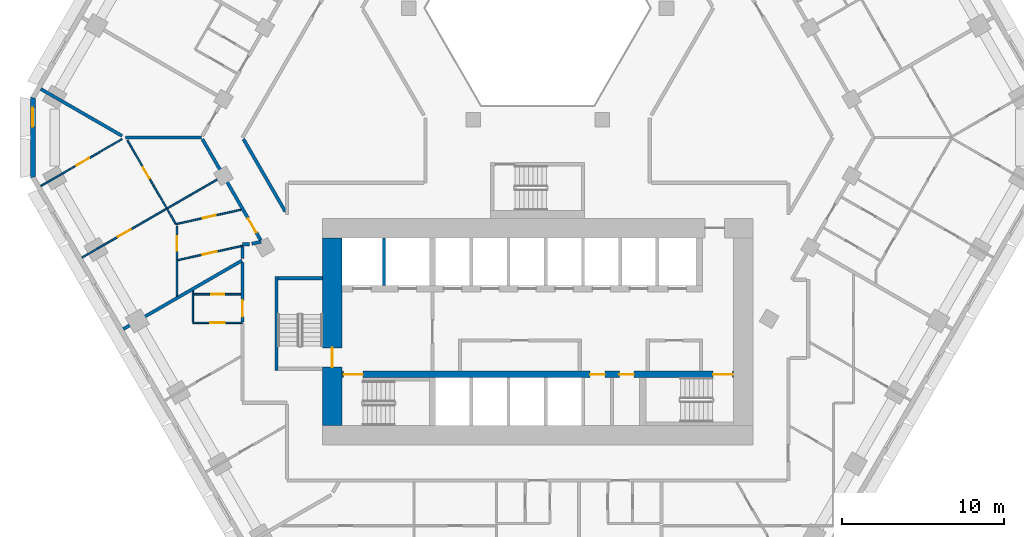
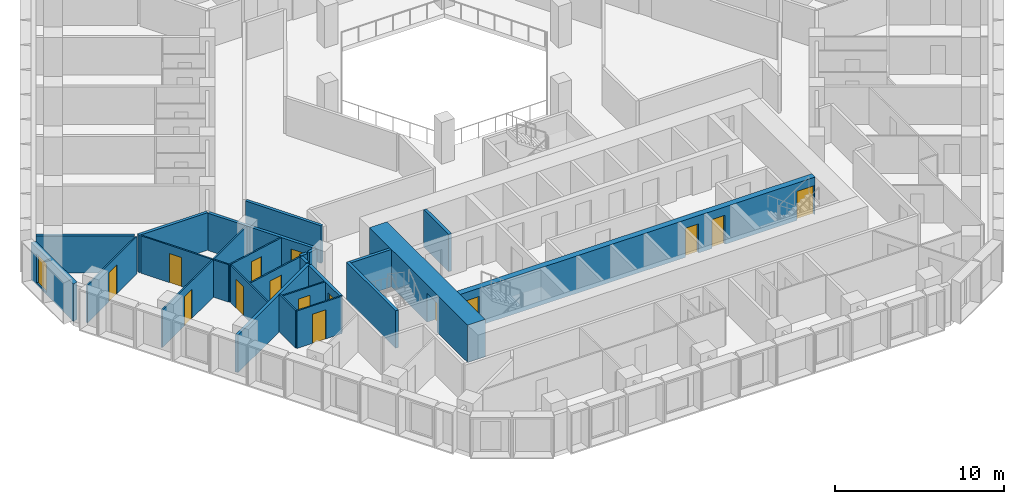
# One storey, part 4 of 16: 25 walls, 15 doors, 1 window, 16 openings.
"""IFC4 building model written with IfcOpenShell, lengths in metres."""

from ifc_helpers import new_model, si_unit, direction, frame, frame_2d, origin, place, context, subcontext, project, spatial, polyline, rectangle, outline, extrude, material, layer, layer_set, type_object, element, fill, save


model = new_model("IFC4")

# Units and contexts
model_context = context("Model", 3, precision=1e-05, world=origin(), true_north=direction((0.0, 1.0)))
body_context = subcontext(model_context, "Body", "Model", "MODEL_VIEW")
ifc_project = project(units=[si_unit("LENGTHUNIT", "METRE"), si_unit("AREAUNIT", "SQUARE_METRE"), si_unit("VOLUMEUNIT", "CUBIC_METRE"), si_unit("PLANEANGLEUNIT", "RADIAN"), si_unit("MASSUNIT", "GRAM", prefix="KILO")], contexts=[model_context])

# Site, building, storey
site_placement = place(None, origin())
site = spatial("IfcSite", under=ifc_project, at=site_placement, CompositionType="ELEMENT")
building_placement = place(site_placement, origin())
building = spatial("IfcBuilding", under=site, at=building_placement, Name="Beryl Residences", CompositionType="ELEMENT")
storey_placement = place(building_placement, frame((0.0, 0.0, 26.39990234375)))
storey = spatial("IfcBuildingStorey", under=building, at=storey_placement, Name="L07", CompositionType="ELEMENT", Elevation=26.39990234375)

# Wall, opening, window
ifc_material_1 = material(Name="Composite metal panel with mineral wool insulation")
ifc_layer_1 = layer(ifc_material_1, 0.300048828125)
ifc_layer_set_1 = layer_set([ifc_layer_1], Name="ES1 pale metal composite panel wall 300 mm")
wall_type_1 = type_object("IfcWallType", Name="ES1 pale metal composite panel wall 300 mm", PredefinedType="SOLIDWALL", material=ifc_layer_set_1)
wall_1_placement = place(storey_placement, frame((-31.199951171875, 2.5, 0.0), z_axis=(0.0, 0.0, 1.0), x_axis=(0.0, -1.0, 0.0)))
wall_1 = element("IfcWall", 1, at=wall_1_placement, inside=storey, type_object=wall_type_1, Name="ES1 external wall L07 NW-SW", PredefinedType="SOLIDWALL", context=body_context, shape_type="SweptSolid", body=[
    extrude(outline(polyline([(0.0, -0.14990234375), (5.0, -0.14990234375), (4.919677734375, 0.14990234375), (0.080322265625, 0.14990234375), (0.0, -0.14990234375)])), origin(), (0.0, 0.0, 1.0), 2.7001953125),
])
opening_1_placement = place(wall_1_placement, frame((0.64990234375, 0.0, 0.14990234375)))
opening_1 = element("IfcOpeningElement", 2, at=opening_1_placement, cuts=wall_1, Name="Opening W2", PredefinedType="OPENING", context=body_context, shape_type="SweptSolid", body=[
    extrude(rectangle(XDim=1.199951171875, YDim=2.10009765625, at=frame_2d((0.60009765625, 1.050048828125))), frame((0.0, 0.159912109375, 0.0), z_axis=(0.0, -1.0, 0.0), x_axis=(1.0, 0.0, 0.0)), (0.0, 0.0, 1.0), 0.320068359375),
])
ifc_material_2 = material(Name="Aluminium and clear glass", Category="aluminium")
window_type = type_object("IfcWindowType", Name="W2 chamfer window 1200 x 2100 mm", PartitioningType="SINGLE_PANEL", PredefinedType="WINDOW", material=ifc_material_2)
window_placement = place(opening_1_placement, origin())
window = element("IfcWindow", 3, at=window_placement, inside=storey, type_object=window_type, Name="W2 window L07 NW-SW 1", OverallHeight=2.10009765625, OverallWidth=1.199951171875, PartitioningType="SINGLE_PANEL", PredefinedType="WINDOW", context=body_context, shape_type="SweptSolid", body=[
    extrude(rectangle(XDim=1.199951171875, YDim=2.10009765625, at=frame_2d((0.60009765625, 1.050048828125))), frame((0.0, 0.030029296875, 0.0), z_axis=(0.0, -1.0, 0.0), x_axis=(1.0, 0.0, 0.0)), (0.0, 0.0, 1.0), 0.06005859375),
])
fill(opening_1, window)

# Wall, opening, door
ifc_material_3 = material(Name="Gypsum board partition on steel studs", Category="steel")
ifc_layer_2 = layer(ifc_material_3, 0.10009765625)
ifc_layer_set_2 = layer_set([ifc_layer_2], Name="PT1 partition 100 mm gypsum board on steel studs")
wall_type_2 = type_object("IfcWallType", Name="PT1 partition 100 mm gypsum board on steel studs", PredefinedType="PARTITIONING", material=ifc_layer_set_2)
wall_2_placement = place(storey_placement, frame((-25.35791015625, -0.174072265625, 0.0), z_axis=(0.0, 0.0, 1.0), x_axis=(0.500093956194, -0.865971151354, 0.0)))
wall_2 = element("IfcWall", 4, at=wall_2_placement, inside=storey, type_object=wall_type_2, Name="Wall PT1 L07 002", PredefinedType="PARTITIONING", context=body_context, shape_type="SweptSolid", body=[
    extrude(rectangle(XDim=4.873046875, YDim=0.10009765625, at=frame_2d((2.4365234375, 0.0))), origin(), (0.0, 0.0, 1.0), 2.7001953125),
])
opening_2_placement = place(wall_2_placement, frame((1.93701171875, 0.0, 0.0)))
opening_2 = element("IfcOpeningElement", 5, at=opening_2_placement, cuts=wall_2, Name="Opening D0418", PredefinedType="OPENING", context=body_context, shape_type="SweptSolid", body=[
    extrude(rectangle(XDim=0.800048828125, YDim=2.10009765625, at=frame_2d((0.39990234375, 1.050048828125))), frame((0.0, 0.06005859375, 0.0), z_axis=(0.0, -1.0, 0.0), x_axis=(1.0, 0.0, 0.0)), (0.0, 0.0, 1.0), 0.1201171875),
])
ifc_material_4 = material(Name="Timber door leaf", Category="wood")
door_type_1 = type_object("IfcDoorType", Name="D3 bathroom door 800 x 2100 mm", OperationType="SINGLE_SWING_LEFT", PredefinedType="DOOR", material=ifc_material_4)
door_1_placement = place(opening_2_placement, origin())
door_1 = element("IfcDoor", 6, at=door_1_placement, inside=storey, type_object=door_type_1, Name="Door D0418 L07 001", OperationType="SINGLE_SWING_RIGHT", OverallHeight=2.10009765625, OverallWidth=0.800048828125, PredefinedType="DOOR", context=body_context, shape_type="SweptSolid", body=[
    extrude(rectangle(XDim=0.800048828125, YDim=2.10009765625, at=frame_2d((0.39990234375, 1.050048828125))), frame((0.0, 0.02490234375, 0.0), z_axis=(0.0, -1.0, 0.0), x_axis=(1.0, 0.0, 0.0)), (0.0, 0.0, 1.0), 0.050048828125),
])
fill(opening_2, door_1)

# Wall
wall_3_placement = place(storey_placement, frame((-21.31005859375, -9.47412109375, 0.0), z_axis=(0.0, 0.0, 1.0), x_axis=(0.0, -1.0, 0.0)))
element("IfcWall", 7, at=wall_3_placement, inside=storey, type_object=wall_type_2, Name="Wall PT1 L07 010", PredefinedType="PARTITIONING", context=body_context, shape_type="SweptSolid", body=[
    extrude(rectangle(XDim=1.931884765625, YDim=0.10009765625, at=frame_2d((0.9658203125, 0.0))), origin(), (0.0, 0.0, 1.0), 2.7001953125),
])

# Wall, opening, door
wall_4_placement = place(storey_placement, frame((-21.260009765625, -9.68896484375, 0.0), z_axis=(0.0, 0.0, 1.0), x_axis=(1.0, 0.0, 0.0)))
wall_4 = element("IfcWall", 8, at=wall_4_placement, inside=storey, type_object=wall_type_2, Name="Wall PT1 L07 027", PredefinedType="PARTITIONING", context=body_context, shape_type="SweptSolid", body=[
    extrude(rectangle(XDim=2.909912109375, YDim=0.10009765625, at=frame_2d((1.455078125, 0.0))), origin(), (0.0, 0.0, 1.0), 2.7001953125),
])
opening_3_placement = place(wall_4_placement, frame((1.080078125, 0.0, 0.0)))
opening_3 = element("IfcOpeningElement", 9, at=opening_3_placement, cuts=wall_4, Name="Opening D0421", PredefinedType="OPENING", context=body_context, shape_type="SweptSolid", body=[
    extrude(rectangle(XDim=0.800048828125, YDim=2.10009765625, at=frame_2d((0.39990234375, 1.050048828125))), frame((0.0, 0.06005859375, 0.0), z_axis=(0.0, -1.0, 0.0), x_axis=(1.0, 0.0, 0.0)), (0.0, 0.0, 1.0), 0.1201171875),
])
door_2_placement = place(opening_3_placement, origin())
door_2 = element("IfcDoor", 10, at=door_2_placement, inside=storey, type_object=door_type_1, Name="Door D0421 L07 001", OperationType="SINGLE_SWING_LEFT", OverallHeight=2.10009765625, OverallWidth=0.800048828125, PredefinedType="DOOR", context=body_context, shape_type="SweptSolid", body=[
    extrude(rectangle(XDim=0.800048828125, YDim=2.10009765625, at=frame_2d((0.39990234375, 1.050048828125))), frame((0.0, 0.02490234375, 0.0), z_axis=(0.0, -1.0, 0.0), x_axis=(1.0, 0.0, 0.0)), (0.0, 0.0, 1.0), 0.050048828125),
])
fill(opening_3, door_2)

wall_5_placement = place(storey_placement, frame((-21.30908203125, -11.45703125, 0.0), z_axis=(0.0, 0.0, 1.0), x_axis=(1.0, 0.0, 0.0)))
wall_5 = element("IfcWall", 11, at=wall_5_placement, inside=storey, type_object=wall_type_2, Name="Wall PT1 L07 028", PredefinedType="PARTITIONING", context=body_context, shape_type="SweptSolid", body=[
    extrude(rectangle(XDim=3.05908203125, YDim=0.10009765625, at=frame_2d((1.529541015625, 0.0))), origin(), (0.0, 0.0, 1.0), 2.7001953125),
])
opening_4_placement = place(wall_5_placement, frame((1.0791015625, 0.0, 0.0)))
opening_4 = element("IfcOpeningElement", 12, at=opening_4_placement, cuts=wall_5, Name="Opening D0420", PredefinedType="OPENING", context=body_context, shape_type="SweptSolid", body=[
    extrude(rectangle(XDim=0.89990234375, YDim=2.10009765625, at=frame_2d((0.449951171875, 1.050048828125))), frame((0.0, 0.06005859375, 0.0), z_axis=(0.0, -1.0, 0.0), x_axis=(1.0, 0.0, 0.0)), (0.0, 0.0, 1.0), 0.1201171875),
])
ifc_material_5 = material(Name="Timber door leaf", Category="wood")
door_type_2 = type_object("IfcDoorType", Name="D2 room door 900 x 2100 mm", OperationType="SINGLE_SWING_LEFT", PredefinedType="DOOR", material=ifc_material_5)
door_3_placement = place(opening_4_placement, origin())
door_3 = element("IfcDoor", 13, at=door_3_placement, inside=storey, type_object=door_type_2, Name="Door D0420 L07 001", OperationType="SINGLE_SWING_RIGHT", OverallHeight=2.10009765625, OverallWidth=0.89990234375, PredefinedType="DOOR", context=body_context, shape_type="SweptSolid", body=[
    extrude(rectangle(XDim=0.89990234375, YDim=2.10009765625, at=frame_2d((0.449951171875, 1.050048828125))), frame((0.0, 0.02490234375, 0.0), z_axis=(0.0, -1.0, 0.0), x_axis=(1.0, 0.0, 0.0)), (0.0, 0.0, 1.0), 0.050048828125),
])
fill(opening_4, door_3)

wall_6_placement = place(storey_placement, frame((-22.297119140625, -9.81298828125, 0.0), z_axis=(0.0, 0.0, 1.0), x_axis=(0.0, 1.0, 0.0)))
wall_6 = element("IfcWall", 14, at=wall_6_placement, inside=storey, type_object=wall_type_2, Name="Wall PT1 L07 058", PredefinedType="PARTITIONING", context=body_context, shape_type="SweptSolid", body=[
    extrude(rectangle(XDim=4.337890625, YDim=0.10009765625, at=frame_2d((2.1689453125, 0.0))), origin(), (0.0, 0.0, 1.0), 2.7001953125),
])
opening_5_placement = place(wall_6_placement, frame((2.818115234375, 0.0, 0.0)))
opening_5 = element("IfcOpeningElement", 15, at=opening_5_placement, cuts=wall_6, Name="Opening D0415", PredefinedType="OPENING", context=body_context, shape_type="SweptSolid", body=[
    extrude(rectangle(XDim=0.89990234375, YDim=2.10009765625, at=frame_2d((0.449951171875, 1.050048828125))), frame((0.0, 0.06005859375, 0.0), z_axis=(0.0, -1.0, 0.0), x_axis=(1.0, 0.0, 0.0)), (0.0, 0.0, 1.0), 0.1201171875),
])
door_4_placement = place(opening_5_placement, origin())
door_4 = element("IfcDoor", 16, at=door_4_placement, inside=storey, type_object=door_type_2, Name="Door D0415 L07 001", OperationType="SINGLE_SWING_LEFT", OverallHeight=2.10009765625, OverallWidth=0.89990234375, PredefinedType="DOOR", context=body_context, shape_type="SweptSolid", body=[
    extrude(rectangle(XDim=0.89990234375, YDim=2.10009765625, at=frame_2d((0.449951171875, 1.050048828125))), frame((0.0, 0.02490234375, 0.0), z_axis=(0.0, -1.0, 0.0), x_axis=(1.0, 0.0, 0.0)), (0.0, 0.0, 1.0), 0.050048828125),
])
fill(opening_5, door_4)

wall_7_placement = place(storey_placement, frame((-22.364990234375, -5.35693359375, 0.0), z_axis=(0.0, 0.0, 1.0), x_axis=(0.976339488582, 0.216243388421, 0.0)))
wall_7 = element("IfcWall", 17, at=wall_7_placement, inside=storey, type_object=wall_type_2, Name="Wall PT1 L07 060", PredefinedType="PARTITIONING", context=body_context, shape_type="SweptSolid", body=[
    extrude(rectangle(XDim=4.138916015625, YDim=0.10009765625, at=frame_2d((2.0693359375, 0.0))), origin(), (0.0, 0.0, 1.0), 2.7001953125),
])
opening_6_placement = place(wall_7_placement, frame((1.721923828125, 0.0, 0.0)))
opening_6 = element("IfcOpeningElement", 18, at=opening_6_placement, cuts=wall_7, Name="Opening D0413", PredefinedType="OPENING", context=body_context, shape_type="SweptSolid", body=[
    extrude(rectangle(XDim=0.800048828125, YDim=2.10009765625, at=frame_2d((0.39990234375, 1.050048828125))), frame((0.0, 0.06005859375, 0.0), z_axis=(0.0, -1.0, 0.0), x_axis=(1.0, 0.0, 0.0)), (0.0, 0.0, 1.0), 0.1201171875),
])
door_5_placement = place(opening_6_placement, origin())
door_5 = element("IfcDoor", 19, at=door_5_placement, inside=storey, type_object=door_type_1, Name="Door D0413 L07 001", OperationType="SINGLE_SWING_LEFT", OverallHeight=2.10009765625, OverallWidth=0.800048828125, PredefinedType="DOOR", context=body_context, shape_type="SweptSolid", body=[
    extrude(rectangle(XDim=0.800048828125, YDim=2.10009765625, at=frame_2d((0.39990234375, 1.050048828125))), frame((0.0, 0.02490234375, 0.0), z_axis=(0.0, -1.0, 0.0), x_axis=(1.0, 0.0, 0.0)), (0.0, 0.0, 1.0), 0.050048828125),
])
fill(opening_6, door_5)

wall_8_placement = place(storey_placement, frame((-22.2470703125, -7.583984375, 0.0), z_axis=(0.0, 0.0, 1.0), x_axis=(0.97635375062, 0.216178985219, 0.0)))
wall_8 = element("IfcWall", 20, at=wall_8_placement, inside=storey, type_object=wall_type_2, Name="Wall PT1 L07 061", PredefinedType="PARTITIONING", context=body_context, shape_type="SweptSolid", body=[
    extrude(rectangle(XDim=4.093994140625, YDim=0.10009765625, at=frame_2d((2.046875, 0.0))), origin(), (0.0, 0.0, 1.0), 2.7001953125),
])
opening_7_placement = place(wall_8_placement, frame((1.571044921875, 0.0, 0.0)))
opening_7 = element("IfcOpeningElement", 21, at=opening_7_placement, cuts=wall_8, Name="Opening D0414", PredefinedType="OPENING", context=body_context, shape_type="SweptSolid", body=[
    extrude(rectangle(XDim=0.89990234375, YDim=2.10009765625, at=frame_2d((0.449951171875, 1.050048828125))), frame((0.0, 0.06005859375, 0.0), z_axis=(0.0, -1.0, 0.0), x_axis=(1.0, 0.0, 0.0)), (0.0, 0.0, 1.0), 0.1201171875),
])
door_6_placement = place(opening_7_placement, origin())
door_6 = element("IfcDoor", 22, at=door_6_placement, inside=storey, type_object=door_type_2, Name="Door D0414 L07 001", OperationType="SINGLE_SWING_RIGHT", OverallHeight=2.10009765625, OverallWidth=0.89990234375, PredefinedType="DOOR", context=body_context, shape_type="SweptSolid", body=[
    extrude(rectangle(XDim=0.89990234375, YDim=2.10009765625, at=frame_2d((0.449951171875, 1.050048828125))), frame((0.0, 0.02490234375, 0.0), z_axis=(0.0, -1.0, 0.0), x_axis=(1.0, 0.0, 0.0)), (0.0, 0.0, 1.0), 0.050048828125),
])
fill(opening_7, door_6)

wall_9_placement = place(storey_placement, frame((-28.1630859375, -7.419921875, 0.0), z_axis=(0.0, 0.0, 1.0), x_axis=(0.866065245018, 0.499930986609, 0.0)))
wall_9 = element("IfcWall", 23, at=wall_9_placement, inside=storey, type_object=wall_type_2, Name="Wall PT1 L07 066", PredefinedType="PARTITIONING", context=body_context, shape_type="SweptSolid", body=[
    extrude(rectangle(XDim=9.99951171875, YDim=0.10009765625, at=frame_2d((4.999755859375, 0.0))), origin(), (0.0, 0.0, 1.0), 2.7001953125),
])
opening_8_placement = place(wall_9_placement, frame((2.575927734375, 0.0, 0.0)))
opening_8 = element("IfcOpeningElement", 24, at=opening_8_placement, cuts=wall_9, Name="Opening D0416", PredefinedType="OPENING", context=body_context, shape_type="SweptSolid", body=[
    extrude(rectangle(XDim=0.89990234375, YDim=2.10009765625, at=frame_2d((0.449951171875, 1.050048828125))), frame((0.0, 0.06005859375, 0.0), z_axis=(0.0, -1.0, 0.0), x_axis=(1.0, 0.0, 0.0)), (0.0, 0.0, 1.0), 0.1201171875),
])
door_7_placement = place(opening_8_placement, origin())
door_7 = element("IfcDoor", 25, at=door_7_placement, inside=storey, type_object=door_type_2, Name="Door D0416 L07 001", OperationType="SINGLE_SWING_RIGHT", OverallHeight=2.10009765625, OverallWidth=0.89990234375, PredefinedType="DOOR", context=body_context, shape_type="SweptSolid", body=[
    extrude(rectangle(XDim=0.89990234375, YDim=2.10009765625, at=frame_2d((0.449951171875, 1.050048828125))), frame((0.0, 0.02490234375, 0.0), z_axis=(0.0, -1.0, 0.0), x_axis=(1.0, 0.0, 0.0)), (0.0, 0.0, 1.0), 0.050048828125),
])
fill(opening_8, door_7)

wall_10_placement = place(storey_placement, frame((-30.715087890625, -3.0, 0.0), z_axis=(0.0, 0.0, 1.0), x_axis=(0.866116197112, 0.49984270836, 0.0)))
wall_10 = element("IfcWall", 26, at=wall_10_placement, inside=storey, type_object=wall_type_2, Name="Wall PT1 L07 067", PredefinedType="PARTITIONING", context=body_context, shape_type="SweptSolid", body=[
    extrude(rectangle(XDim=5.799560546875, YDim=0.10009765625, at=frame_2d((2.89990234375, 0.0))), origin(), (0.0, 0.0, 1.0), 2.7001953125),
])
opening_9_placement = place(wall_10_placement, frame((2.550048828125, 0.0, 0.0)))
opening_9 = element("IfcOpeningElement", 27, at=opening_9_placement, cuts=wall_10, Name="Opening D0417", PredefinedType="OPENING", context=body_context, shape_type="SweptSolid", body=[
    extrude(rectangle(XDim=0.89990234375, YDim=2.10009765625, at=frame_2d((0.449951171875, 1.050048828125))), frame((0.0, 0.06005859375, 0.0), z_axis=(0.0, -1.0, 0.0), x_axis=(1.0, 0.0, 0.0)), (0.0, 0.0, 1.0), 0.1201171875),
])
door_8_placement = place(opening_9_placement, origin())
door_8 = element("IfcDoor", 28, at=door_8_placement, inside=storey, type_object=door_type_2, Name="Door D0417 L07 001", OperationType="SINGLE_SWING_LEFT", OverallHeight=2.10009765625, OverallWidth=0.89990234375, PredefinedType="DOOR", context=body_context, shape_type="SweptSolid", body=[
    extrude(rectangle(XDim=0.89990234375, YDim=2.10009765625, at=frame_2d((0.449951171875, 1.050048828125))), frame((0.0, 0.02490234375, 0.0), z_axis=(0.0, -1.0, 0.0), x_axis=(1.0, 0.0, 0.0)), (0.0, 0.0, 1.0), 0.050048828125),
])
fill(opening_9, door_8)

# Walls
wall_11_placement = place(storey_placement, frame((-22.9208984375, -4.39404296875, 0.0), z_axis=(0.0, 0.0, 1.0), x_axis=(0.499565963512, -0.866275849889, 0.0)))
element("IfcWall", 29, at=wall_11_placement, inside=storey, type_object=wall_type_2, Name="Wall PT1 L07 071", PredefinedType="PARTITIONING", context=body_context, shape_type="SweptSolid", body=[
    extrude(rectangle(XDim=1.08056640625, YDim=0.10009765625, at=frame_2d((0.540283203125, 0.0))), origin(), (0.0, 0.0, 1.0), 2.7001953125),
])
ifc_material_6 = material(Name="Acoustic double stud gypsum board wall")
ifc_layer_3 = layer(ifc_material_6, 0.199951171875)
ifc_layer_set_3 = layer_set([ifc_layer_3], Name="PT3 party wall 200 mm acoustic double stud")
wall_type_3 = type_object("IfcWallType", Name="PT3 party wall 200 mm acoustic double stud", PredefinedType="PARTITIONING", material=ifc_layer_set_3)
wall_12_placement = place(storey_placement, frame((-30.716064453125, 2.9990234375, 0.0), z_axis=(0.0, 0.0, 1.0), x_axis=(0.866032775405, -0.499987231761, 0.0)))
element("IfcWall", 30, at=wall_12_placement, inside=storey, type_object=wall_type_3, Name="Wall PT3 L07 006", PredefinedType="PARTITIONING", context=body_context, shape_type="SweptSolid", body=[
    extrude(rectangle(XDim=5.800048828125, YDim=0.199951171875, at=frame_2d((2.89990234375, 0.0))), origin(), (0.0, 0.0, 1.0), 2.7001953125),
])
wall_13_placement = place(storey_placement, frame((-25.47802734375, -0.0009765625, 0.0), z_axis=(0.0, 0.0, 1.0), x_axis=(1.0, 0.0, 0.0)))
element("IfcWall", 31, at=wall_13_placement, inside=storey, type_object=wall_type_3, Name="Wall PT3 L07 012", PredefinedType="PARTITIONING", context=body_context, shape_type="SweptSolid", body=[
    extrude(rectangle(XDim=4.694091796875, YDim=0.199951171875, at=frame_2d((2.34716796875, 0.0))), origin(), (0.0, 0.0, 1.0), 2.7001953125),
])
wall_14_placement = place(storey_placement, frame((-17.6689453125, -6.570068359375, 0.0), z_axis=(0.0, 0.0, 1.0), x_axis=(0.976422724526, 0.215867234728, 0.0)))
element("IfcWall", 32, at=wall_14_placement, inside=storey, type_object=wall_type_3, Name="Wall PT3 L07 020", PredefinedType="PARTITIONING", context=body_context, shape_type="SweptSolid", body=[
    extrude(rectangle(XDim=0.58349609375, YDim=0.199951171875, at=frame_2d((0.291748046875, 0.0))), origin(), (0.0, 0.0, 1.0), 2.7001953125),
])
wall_15_placement = place(storey_placement, frame((-25.610107421875, -11.841064453125, 0.0), z_axis=(0.0, 0.0, 1.0), x_axis=(0.866019023803, 0.500011050288, 0.0)))
element("IfcWall", 33, at=wall_15_placement, inside=storey, type_object=wall_type_3, Name="Wall PT3 L07 024", PredefinedType="PARTITIONING", context=body_context, shape_type="SweptSolid", body=[
    extrude(rectangle(XDim=8.469970703125, YDim=0.199951171875, at=frame_2d((4.23486328125, 0.0))), origin(), (0.0, 0.0, 1.0), 2.7001953125),
])
ifc_material_7 = material(Name="Double stud gypsum board wall")
ifc_layer_4 = layer(ifc_material_7, 0.199951171875)
ifc_layer_set_4 = layer_set([ifc_layer_4], Name="PT4 corridor wall 200 mm double stud")
wall_type_4 = type_object("IfcWallType", Name="PT4 corridor wall 200 mm double stud", PredefinedType="PARTITIONING", material=ifc_layer_set_4)
wall_16_placement = place(storey_placement, frame((-18.18603515625, -0.10107421875, 0.0), z_axis=(0.0, 0.0, 1.0), x_axis=(0.499997591167, -0.86602679452, 0.0)))
element("IfcWall", 34, at=wall_16_placement, inside=storey, type_object=wall_type_4, Name="Wall PT4 L07 002", PredefinedType="PARTITIONING", context=body_context, shape_type="SweptSolid", body=[
    extrude(rectangle(XDim=5.171875, YDim=0.199951171875, at=frame_2d((2.5859375, 0.0))), origin(), (0.0, 0.0, 1.0), 2.7001953125),
])

# Wall, opening, door
wall_17_placement = place(storey_placement, frame((-20.72705078125, -0.10107421875, 0.0), z_axis=(0.0, 0.0, 1.0), x_axis=(0.500049702773, -0.865996705973, 0.0)))
wall_17 = element("IfcWall", 35, at=wall_17_placement, inside=storey, type_object=wall_type_4, Name="Wall PT4 L07 003", PredefinedType="PARTITIONING", context=body_context, shape_type="SweptSolid", body=[
    extrude(rectangle(XDim=7.211181640625, YDim=0.199951171875, at=frame_2d((3.60546875, 0.0))), origin(), (0.0, 0.0, 1.0), 2.7001953125),
])
opening_10_placement = place(wall_17_placement, frame((5.654052734375, 0.0, 0.0)))
opening_10 = element("IfcOpeningElement", 36, at=opening_10_placement, cuts=wall_17, Name="Opening D0412", PredefinedType="OPENING", context=body_context, shape_type="SweptSolid", body=[
    extrude(rectangle(XDim=1.0, YDim=2.10009765625, at=frame_2d((0.5, 1.050048828125))), frame((0.0, 0.10986328125, 0.0), z_axis=(0.0, -1.0, 0.0), x_axis=(1.0, 0.0, 0.0)), (0.0, 0.0, 1.0), 0.219970703125),
])
ifc_material_8 = material(Name="Timber door leaf", Category="wood")
door_type_3 = type_object("IfcDoorType", Name="D1 flat entrance door 1000 x 2100 mm", OperationType="SINGLE_SWING_LEFT", PredefinedType="DOOR", material=ifc_material_8)
door_9_placement = place(opening_10_placement, origin())
door_9 = element("IfcDoor", 37, at=door_9_placement, inside=storey, type_object=door_type_3, Name="Door D0412 L07 001", OperationType="SINGLE_SWING_RIGHT", OverallHeight=2.10009765625, OverallWidth=1.0, PredefinedType="DOOR", context=body_context, shape_type="SweptSolid", body=[
    extrude(rectangle(XDim=1.0, YDim=2.10009765625, at=frame_2d((0.5, 1.050048828125))), frame((0.0, 0.02490234375, 0.0), z_axis=(0.0, -1.0, 0.0), x_axis=(1.0, 0.0, 0.0)), (0.0, 0.0, 1.0), 0.050048828125),
])
fill(opening_10, door_9)

# Wall
wall_18_placement = place(storey_placement, frame((-18.25, -6.60009765625, 0.0), z_axis=(0.0, 0.0, 1.0), x_axis=(1.0, 0.0, 0.0)))
element("IfcWall", 38, at=wall_18_placement, inside=storey, type_object=wall_type_4, Name="Wall PT4 L07 009", PredefinedType="PARTITIONING", context=body_context, shape_type="SweptSolid", body=[
    extrude(rectangle(XDim=0.445068359375, YDim=0.199951171875, at=frame_2d((0.22265625, 0.0))), origin(), (0.0, 0.0, 1.0), 2.7001953125),
])

# Wall, opening, door
wall_19_placement = place(storey_placement, frame((-18.25, -11.406982421875, 0.0), z_axis=(0.0, 0.0, 1.0), x_axis=(0.0, 1.0, 0.0)))
wall_19 = element("IfcWall", 39, at=wall_19_placement, inside=storey, type_object=wall_type_4, Name="Wall PT4 L07 031", PredefinedType="PARTITIONING", context=body_context, shape_type="SweptSolid", body=[
    extrude(rectangle(XDim=3.6650390625, YDim=0.199951171875, at=frame_2d((1.83251953125, 0.0))), origin(), (0.0, 0.0, 1.0), 2.7001953125),
])
opening_11_placement = place(wall_19_placement, frame((0.333984375, 0.0, 0.0)))
opening_11 = element("IfcOpeningElement", 40, at=opening_11_placement, cuts=wall_19, Name="Opening D0419", PredefinedType="OPENING", context=body_context, shape_type="SweptSolid", body=[
    extrude(rectangle(XDim=1.0, YDim=2.10009765625, at=frame_2d((0.5, 1.050048828125))), frame((0.0, 0.10986328125, 0.0), z_axis=(0.0, -1.0, 0.0), x_axis=(1.0, 0.0, 0.0)), (0.0, 0.0, 1.0), 0.219970703125),
])
door_10_placement = place(opening_11_placement, origin())
door_10 = element("IfcDoor", 41, at=door_10_placement, inside=storey, type_object=door_type_3, Name="Door D0419 L07 001", OperationType="SINGLE_SWING_LEFT", OverallHeight=2.10009765625, OverallWidth=1.0, PredefinedType="DOOR", context=body_context, shape_type="SweptSolid", body=[
    extrude(rectangle(XDim=1.0, YDim=2.10009765625, at=frame_2d((0.5, 1.050048828125))), frame((0.0, 0.02490234375, 0.0), z_axis=(0.0, -1.0, 0.0), x_axis=(1.0, 0.0, 0.0)), (0.0, 0.0, 1.0), 0.050048828125),
])
fill(opening_11, door_10)

# Walls
wall_20_placement = place(storey_placement, frame((-18.25, -7.47607421875, 0.0), z_axis=(0.0, 0.0, 1.0), x_axis=(0.0, 1.0, 0.0)))
element("IfcWall", 42, at=wall_20_placement, inside=storey, type_object=wall_type_4, Name="Wall PT4 L07 032", PredefinedType="PARTITIONING", context=body_context, shape_type="SweptSolid", body=[
    extrude(rectangle(XDim=0.72607421875, YDim=0.199951171875, at=frame_2d((0.363037109375, 0.0))), origin(), (0.0, 0.0, 1.0), 2.7001953125),
])
ifc_material_9 = material(Name="Concrete C40/50", Category="concrete")
ifc_layer_5 = layer(ifc_material_9, 0.199951171875)
ifc_layer_set_5 = layer_set([ifc_layer_5], Name="PT5 stair enclosure wall 200 mm reinforced concrete C40/50")
wall_type_5 = type_object("IfcWallType", Name="PT5 stair enclosure wall 200 mm reinforced concrete C40/50", PredefinedType="SOLIDWALL", material=ifc_layer_set_5)
wall_21_placement = place(storey_placement, frame((-16.14990234375, -14.39990234375, 0.0), z_axis=(0.0, 0.0, 1.0), x_axis=(0.0, 1.0, 0.0)))
element("IfcWall", 43, at=wall_21_placement, inside=storey, type_object=wall_type_5, Name="Stair wall 01", PredefinedType="SOLIDWALL", context=body_context, shape_type="SweptSolid", body=[
    extrude(rectangle(XDim=5.7998046875, YDim=0.199951171875, at=frame_2d((2.89990234375, 0.0))), origin(), (0.0, 0.0, 1.0), 2.7001953125),
])
wall_22_placement = place(storey_placement, frame((-16.050048828125, -8.699951171875, 0.0), z_axis=(0.0, 0.0, 1.0), x_axis=(1.0, 0.0, 0.0)))
element("IfcWall", 44, at=wall_22_placement, inside=storey, type_object=wall_type_5, Name="Stair wall 03", PredefinedType="SOLIDWALL", context=body_context, shape_type="SweptSolid", body=[
    extrude(rectangle(XDim=2.75, YDim=0.199951171875, at=frame_2d((1.375, 0.0))), origin(), (0.0, 0.0, 1.0), 2.7001953125),
])
ifc_material_10 = material(Name="Concrete C40/50", Category="concrete")
ifc_layer_6 = layer(ifc_material_10, 0.199951171875)
ifc_layer_set_6 = layer_set([ifc_layer_6], Name="PT6 lift shaft wall 200 mm reinforced concrete C40/50")
wall_type_6 = type_object("IfcWallType", Name="PT6 lift shaft wall 200 mm reinforced concrete C40/50", PredefinedType="SOLIDWALL", material=ifc_layer_set_6)
wall_23_placement = place(storey_placement, frame((-9.5, -9.14990234375, 0.0), z_axis=(0.0, 0.0, 1.0), x_axis=(0.0, 1.0, 0.0)))
element("IfcWall", 45, at=wall_23_placement, inside=storey, type_object=wall_type_6, Name="Lift shaft wall 05", PredefinedType="SOLIDWALL", context=body_context, shape_type="SweptSolid", body=[
    extrude(rectangle(XDim=2.949951171875, YDim=0.199951171875, at=frame_2d((1.47509765625, 0.0))), origin(), (0.0, 0.0, 1.0), 2.7001953125),
])

# Wall, opening, door
ifc_material_11 = material(Name="Concrete C80/95", Category="concrete")
ifc_layer_7 = layer(ifc_material_11, 1.199951171875)
ifc_layer_set_7 = layer_set([ifc_layer_7], Name="SW1 core outer wall 1200 mm C80/95")
wall_type_7 = type_object("IfcWallType", Name="SW1 core outer wall 1200 mm C80/95", PredefinedType="SHEAR", material=ifc_layer_set_7)
wall_24_placement = place(storey_placement, frame((-12.699951171875, -17.800048828125, 0.0), z_axis=(0.0, 0.0, 1.0), x_axis=(0.0, 1.0, 0.0)))
wall_24 = element("IfcWall", 46, at=wall_24_placement, inside=storey, type_object=wall_type_7, Name="Core wall W L07", PredefinedType="SHEAR", context=body_context, shape_type="SweptSolid", body=[
    extrude(rectangle(XDim=11.60009765625, YDim=1.199951171875, at=frame_2d((5.800048828125, 0.0))), origin(), (0.0, 0.0, 1.0), 2.7001953125),
])
opening_12_placement = place(wall_24_placement, frame((3.60009765625, 0.0, 0.0)))
opening_12 = element("IfcOpeningElement", 47, at=opening_12_placement, cuts=wall_24, Name="Opening SD-2", PredefinedType="OPENING", context=body_context, shape_type="SweptSolid", body=[
    extrude(rectangle(XDim=1.199951171875, YDim=2.10009765625, at=frame_2d((0.60009765625, 1.050048828125))), frame((0.0, 0.60986328125, 0.0), z_axis=(0.0, -1.0, 0.0), x_axis=(1.0, 0.0, 0.0)), (0.0, 0.0, 1.0), 1.219970703125),
])
ifc_material_12 = material(Name="Steel door leaf in steel frame", Category="steel")
door_type_4 = type_object("IfcDoorType", Name="D4 stair door 1200 x 2100 mm", OperationType="SINGLE_SWING_LEFT", PredefinedType="DOOR", material=ifc_material_12)
door_11_placement = place(opening_12_placement, origin())
door_11 = element("IfcDoor", 48, at=door_11_placement, inside=storey, type_object=door_type_4, Name="Door SD-2 L07 001", OperationType="SINGLE_SWING_RIGHT", OverallHeight=2.10009765625, OverallWidth=1.199951171875, PredefinedType="DOOR", context=body_context, shape_type="SweptSolid", body=[
    extrude(rectangle(XDim=1.199951171875, YDim=2.10009765625, at=frame_2d((0.60009765625, 1.050048828125))), frame((0.0, 0.02490234375, 0.0), z_axis=(0.0, -1.0, 0.0), x_axis=(1.0, 0.0, 0.0)), (0.0, 0.0, 1.0), 0.050048828125),
])
fill(opening_12, door_11)

# Wall, openings, doors
ifc_material_13 = material(Name="Concrete C80/95", Category="concrete")
ifc_layer_8 = layer(ifc_material_13, 0.39990234375)
ifc_layer_set_8 = layer_set([ifc_layer_8], Name="SW6 core internal wall 400 mm C80/95")
wall_type_8 = type_object("IfcWallType", Name="SW6 core internal wall 400 mm C80/95", PredefinedType="SHEAR", material=ifc_layer_set_8)
wall_25_placement = place(storey_placement, frame((-12.10009765625, -14.64990234375, 0.0), z_axis=(0.0, 0.0, 1.0), x_axis=(1.0, 0.0, 0.0)))
wall_25 = element("IfcWall", 49, at=wall_25_placement, inside=storey, type_object=wall_type_8, Name="Core wall SP1 L07", PredefinedType="SHEAR", context=body_context, shape_type="SweptSolid", body=[
    extrude(rectangle(XDim=24.2001953125, YDim=0.39990234375, at=frame_2d((12.10009765625, 0.0))), origin(), (0.0, 0.0, 1.0), 2.7001953125),
])
opening_13_placement = place(wall_25_placement, frame((1.300048828125, 0.0, 0.0), z_axis=(0.0, 0.0, 1.0), x_axis=(-1.0, 0.0, 0.0)))
opening_13 = element("IfcOpeningElement", 50, at=opening_13_placement, cuts=wall_25, Name="Opening SD-1", PredefinedType="OPENING", context=body_context, shape_type="SweptSolid", body=[
    extrude(rectangle(XDim=1.199951171875, YDim=2.10009765625, at=frame_2d((0.60009765625, 1.050048828125))), frame((0.0, 0.2099609375, 0.0), z_axis=(0.0, -1.0, 0.0), x_axis=(1.0, 0.0, 0.0)), (0.0, 0.0, 1.0), 0.419921875),
])
opening_14_placement = place(wall_25_placement, frame((24.14990234375, 0.0, 0.0), z_axis=(0.0, 0.0, 1.0), x_axis=(-1.0, 0.0, 0.0)))
opening_14 = element("IfcOpeningElement", 51, at=opening_14_placement, cuts=wall_25, Name="Opening SD-3", PredefinedType="OPENING", context=body_context, shape_type="SweptSolid", body=[
    extrude(rectangle(XDim=1.199951171875, YDim=2.10009765625, at=frame_2d((0.60009765625, 1.050048828125))), frame((0.0, 0.2099609375, 0.0), z_axis=(0.0, -1.0, 0.0), x_axis=(1.0, 0.0, 0.0)), (0.0, 0.0, 1.0), 0.419921875),
])
opening_15_placement = place(wall_25_placement, frame((16.25, 0.0, 0.0), z_axis=(0.0, 0.0, 1.0), x_axis=(-1.0, 0.0, 0.0)))
opening_15 = element("IfcOpeningElement", 52, at=opening_15_placement, cuts=wall_25, Name="Opening CD-D-S1-900", PredefinedType="OPENING", context=body_context, shape_type="SweptSolid", body=[
    extrude(rectangle(XDim=0.89990234375, YDim=2.10009765625, at=frame_2d((0.449951171875, 1.050048828125))), frame((0.0, 0.2099609375, 0.0), z_axis=(0.0, -1.0, 0.0), x_axis=(1.0, 0.0, 0.0)), (0.0, 0.0, 1.0), 0.419921875),
])
opening_16_placement = place(wall_25_placement, frame((18.0498046875, 0.0, 0.0), z_axis=(0.0, 0.0, 1.0), x_axis=(-1.0, 0.0, 0.0)))
opening_16 = element("IfcOpeningElement", 53, at=opening_16_placement, cuts=wall_25, Name="Opening CD-D-S2-900", PredefinedType="OPENING", context=body_context, shape_type="SweptSolid", body=[
    extrude(rectangle(XDim=0.89990234375, YDim=2.10009765625, at=frame_2d((0.449951171875, 1.050048828125))), frame((0.0, 0.2099609375, 0.0), z_axis=(0.0, -1.0, 0.0), x_axis=(1.0, 0.0, 0.0)), (0.0, 0.0, 1.0), 0.419921875),
])
door_12_placement = place(opening_13_placement, origin())
door_12 = element("IfcDoor", 54, at=door_12_placement, inside=storey, type_object=door_type_4, Name="Door SD-1 L07 001", OperationType="SINGLE_SWING_RIGHT", OverallHeight=2.10009765625, OverallWidth=1.199951171875, PredefinedType="DOOR", context=body_context, shape_type="SweptSolid", body=[
    extrude(rectangle(XDim=1.199951171875, YDim=2.10009765625, at=frame_2d((0.60009765625, 1.050048828125))), frame((0.0, 0.02490234375, 0.0), z_axis=(0.0, -1.0, 0.0), x_axis=(1.0, 0.0, 0.0)), (0.0, 0.0, 1.0), 0.050048828125),
])
fill(opening_13, door_12)
door_13_placement = place(opening_14_placement, origin())
door_13 = element("IfcDoor", 55, at=door_13_placement, inside=storey, type_object=door_type_4, Name="Door SD-3 L07 001", OperationType="SINGLE_SWING_RIGHT", OverallHeight=2.10009765625, OverallWidth=1.199951171875, PredefinedType="DOOR", context=body_context, shape_type="SweptSolid", body=[
    extrude(rectangle(XDim=1.199951171875, YDim=2.10009765625, at=frame_2d((0.60009765625, 1.050048828125))), frame((0.0, 0.02490234375, 0.0), z_axis=(0.0, -1.0, 0.0), x_axis=(1.0, 0.0, 0.0)), (0.0, 0.0, 1.0), 0.050048828125),
])
fill(opening_14, door_13)
ifc_material_14 = material(Name="Steel door leaf in steel frame", Category="steel")
door_type_5 = type_object("IfcDoorType", Name="D6 service room door 900 x 2100 mm", OperationType="SINGLE_SWING_LEFT", PredefinedType="DOOR", material=ifc_material_14)
door_14_placement = place(opening_15_placement, origin())
door_14 = element("IfcDoor", 56, at=door_14_placement, inside=storey, type_object=door_type_5, Name="Door CD-D-S1-900 L07 001", OperationType="SINGLE_SWING_RIGHT", OverallHeight=2.10009765625, OverallWidth=0.89990234375, PredefinedType="DOOR", context=body_context, shape_type="SweptSolid", body=[
    extrude(rectangle(XDim=0.89990234375, YDim=2.10009765625, at=frame_2d((0.449951171875, 1.050048828125))), frame((0.0, 0.02490234375, 0.0), z_axis=(0.0, -1.0, 0.0), x_axis=(1.0, 0.0, 0.0)), (0.0, 0.0, 1.0), 0.050048828125),
])
fill(opening_15, door_14)
door_15_placement = place(opening_16_placement, origin())
door_15 = element("IfcDoor", 57, at=door_15_placement, inside=storey, type_object=door_type_5, Name="Door CD-D-S2-900 L07 001", OperationType="SINGLE_SWING_LEFT", OverallHeight=2.10009765625, OverallWidth=0.89990234375, PredefinedType="DOOR", context=body_context, shape_type="SweptSolid", body=[
    extrude(rectangle(XDim=0.89990234375, YDim=2.10009765625, at=frame_2d((0.449951171875, 1.050048828125))), frame((0.0, 0.02490234375, 0.0), z_axis=(0.0, -1.0, 0.0), x_axis=(1.0, 0.0, 0.0)), (0.0, 0.0, 1.0), 0.050048828125),
])
fill(opening_16, door_15)

save(model, "model.ifc")
